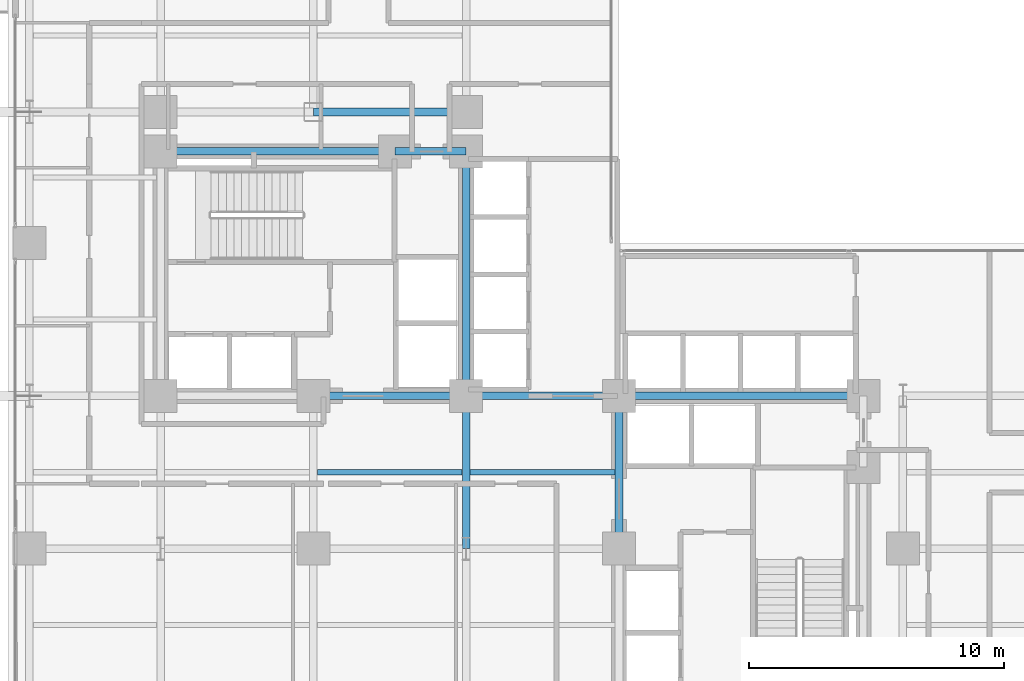
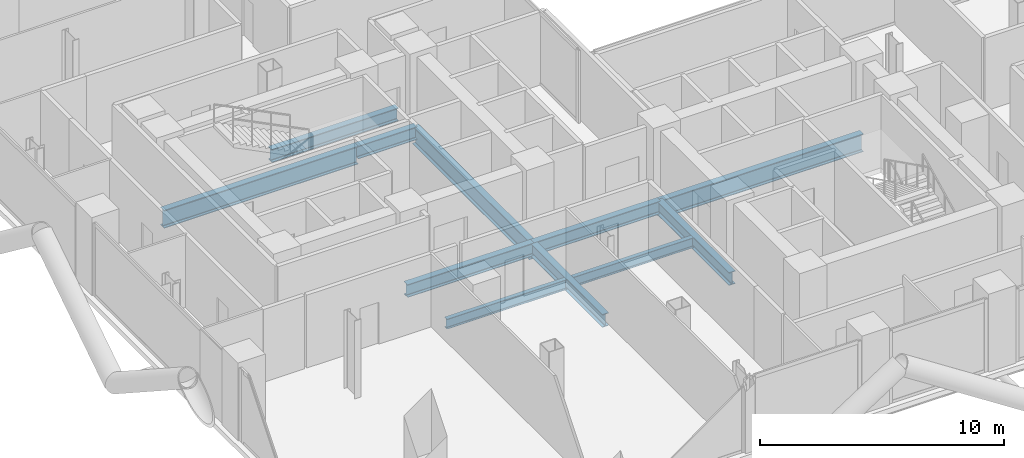
# One storey, part 6 of 27: 11 beams.
"""IFC4 building model written with IfcOpenShell, lengths in metres."""

from ifc_helpers import new_model, si_unit, direction, frame, origin, origin_2d, place, context, subcontext, project, spatial, i_section, extrude, material, material_profile, profile_set, type_object, element, save


model = new_model("IFC4")

# Units and contexts
model_context = context("Model", 3, precision=1e-05, world=origin(), true_north=direction((0.0, 1.0)))
body_context = subcontext(model_context, "Body", "Model", "MODEL_VIEW")
ifc_project = project(units=[si_unit("LENGTHUNIT", "METRE"), si_unit("AREAUNIT", "SQUARE_METRE"), si_unit("VOLUMEUNIT", "CUBIC_METRE"), si_unit("PLANEANGLEUNIT", "RADIAN"), si_unit("MASSUNIT", "GRAM", prefix="KILO"), si_unit("THERMODYNAMICTEMPERATUREUNIT", "KELVIN"), si_unit("POWERUNIT", "WATT")], contexts=[model_context])

# Site, building, storey
site_placement = place(None, origin())
site = spatial("IfcSite", under=ifc_project, at=site_placement, CompositionType="ELEMENT")
building_placement = place(site_placement, origin())
building = spatial("IfcBuilding", under=site, at=building_placement, Name="Svarakhadi Broadcast Tower", CompositionType="ELEMENT")
storey_placement = place(building_placement, frame((0.0, 0.0, 87.0)))
storey = spatial("IfcBuildingStorey", under=building, at=storey_placement, Name="L20", CompositionType="ELEMENT", Elevation=87.0)

# Beams
ifc_material_1 = material(Name="Steel S355J2 (IS 2062 E350C)", Category="steel")
ifc_material_profile_1 = material_profile(ifc_material_1, i_section(OverallWidth=0.199951171875, OverallDepth=0.5, WebThickness=0.01025390625, FlangeThickness=0.01611328125, FilletRadius=0.02099609375, at=origin_2d()), Name="NPB 500x200x91")
ifc_profile_set_1 = profile_set([ifc_material_profile_1], Name="Steel S355J2 (IS 2062 E350C)")
beam_type_1 = type_object("IfcBeamType", Name="Beam_NPB500", PredefinedType="BEAM", material=ifc_profile_set_1)
for number, where, z_axis, x_axis, name in (
    (1, (12.159912109375, 15.0, -0.5), (1.0, 0.0, 0.0), (0.0, 1.0, 0.0), "L20 Secondary Composite Beam SB015"),
    (2, (18.159912109375, 15.0, -0.5), (1.0, 0.0, 0.0), (0.0, 1.0, 0.0), "L20 Secondary Composite Beam SB021"),
):
    element("IfcBeam", number, at=place(storey_placement, frame(where, z_axis=z_axis, x_axis=x_axis)), inside=storey, type_object=beam_type_1, Name=name, PredefinedType="BEAM", context=body_context, shape_type="SweptSolid", body=[
        extrude(i_section(OverallWidth=0.199951171875, OverallDepth=0.5, WebThickness=0.01025390625, FlangeThickness=0.01611328125, FilletRadius=0.02099609375, at=origin_2d()), origin(), (0.0, 0.0, 1.0), 5.68017578125),
    ])
ifc_material_profile_2 = material_profile(ifc_material_1, i_section(OverallWidth=0.300048828125, OverallDepth=0.64990234375, WebThickness=0.01611328125, FlangeThickness=0.031005859375, FilletRadius=0.027099609375, at=origin_2d()), Name="WPB 650x300x225")
ifc_profile_set_2 = profile_set([ifc_material_profile_2], Name="Steel S355J2 (IS 2062 E350C)")
beam_type_2 = type_object("IfcBeamType", Name="Girder_WPB650", PredefinedType="USERDEFINED", material=ifc_profile_set_2)
for number, where, z_axis, x_axis, name in (
    (3, (12.0, 18.0, -0.574951171875), (1.0, 0.0, 0.0), (0.0, 1.0, 0.0), "L20 Primary E-W Girder G027"),
    (4, (18.0, 18.0, -0.574951171875), (1.0, 0.0, 0.0), (0.0, 1.0, 0.0), "L20 Primary E-W Girder G028"),
):
    element("IfcBeam", number, at=place(storey_placement, frame(where, z_axis=z_axis, x_axis=x_axis)), inside=storey, type_object=beam_type_2, Name=name, ObjectType="GIRDER", PredefinedType="USERDEFINED", context=body_context, shape_type="SweptSolid", body=[
        extrude(i_section(OverallWidth=0.300048828125, OverallDepth=0.64990234375, WebThickness=0.01611328125, FlangeThickness=0.031005859375, FilletRadius=0.027099609375, at=origin_2d()), origin(), (0.0, 0.0, 1.0), 6.0),
    ])
beam_1_placement = place(storey_placement, frame((15.199951171875, 27.60009765625, -0.574951171875), z_axis=(1.0, 0.0, 0.0), x_axis=(0.0, 1.0, 0.0)))
element("IfcBeam", 5, at=beam_1_placement, inside=storey, type_object=beam_type_2, Name="L20 Primary E-W Girder G033", ObjectType="GIRDER", PredefinedType="USERDEFINED", context=body_context, shape_type="SweptSolid", body=[
    extrude(i_section(OverallWidth=0.300048828125, OverallDepth=0.64990234375, WebThickness=0.01611328125, FlangeThickness=0.031005859375, FilletRadius=0.027099609375, at=origin_2d()), origin(), (0.0, 0.0, 1.0), 2.800048828125),
])
for number, where, z_axis, x_axis, name in (
    (6, (12.0, 29.14990234375, -0.574951171875), (1.0, 0.0, 0.0), (0.0, 1.0, 0.0), "L20 Primary E-W Girder G036"),
    (7, (18.0, 12.0, -0.574951171875), (0.0, 1.0, 0.0), (-1.0, 0.0, 0.0), "L20 Primary N-S Girder G066"),
    (8, (24.0, 12.0, -0.574951171875), (0.0, 1.0, 0.0), (-1.0, 0.0, 0.0), "L20 Primary N-S Girder G073"),
):
    element("IfcBeam", number, at=place(storey_placement, frame(where, z_axis=z_axis, x_axis=x_axis)), inside=storey, type_object=beam_type_2, Name=name, ObjectType="GIRDER", PredefinedType="USERDEFINED", context=body_context, shape_type="SweptSolid", body=[
        extrude(i_section(OverallWidth=0.300048828125, OverallDepth=0.64990234375, WebThickness=0.01611328125, FlangeThickness=0.031005859375, FilletRadius=0.027099609375, at=origin_2d()), origin(), (0.0, 0.0, 1.0), 6.0),
    ])
ifc_material_2 = material(Name="Steel S460ML (IS 2062 E450BR)", Category="steel")
ifc_material_profile_3 = material_profile(ifc_material_2, i_section(OverallWidth=0.300048828125, OverallDepth=0.89990234375, WebThickness=0.0185546875, FlangeThickness=0.034912109375, FilletRadius=0.030029296875, at=origin_2d()), Name="WPB 900x300x291")
ifc_profile_set_3 = profile_set([ifc_material_profile_3], Name="Steel S460ML (IS 2062 E450BR)")
beam_type_3 = type_object("IfcBeamType", Name="Girder_WPB900", PredefinedType="USERDEFINED", material=ifc_profile_set_3)
beam_2_placement = place(storey_placement, frame((24.0, 18.0, -0.699951171875), z_axis=(1.0, 0.0, 0.0), x_axis=(0.0, 1.0, 0.0)))
element("IfcBeam", 9, at=beam_2_placement, inside=storey, type_object=beam_type_3, Name="L20 Primary E-W Girder G029", ObjectType="GIRDER", PredefinedType="USERDEFINED", context=body_context, shape_type="SweptSolid", body=[
    extrude(i_section(OverallWidth=0.300048828125, OverallDepth=0.89990234375, WebThickness=0.0185546875, FlangeThickness=0.034912109375, FilletRadius=0.030029296875, at=origin_2d()), origin(), (0.0, 0.0, 1.0), 9.60009765625),
])
beam_3_placement = place(storey_placement, frame((6.0, 27.60009765625, -0.699951171875), z_axis=(1.0, 0.0, 0.0), x_axis=(0.0, 1.0, 0.0)))
element("IfcBeam", 10, at=beam_3_placement, inside=storey, type_object=beam_type_3, Name="L20 Primary E-W Girder G032", ObjectType="GIRDER", PredefinedType="USERDEFINED", context=body_context, shape_type="SweptSolid", body=[
    extrude(i_section(OverallWidth=0.300048828125, OverallDepth=0.89990234375, WebThickness=0.0185546875, FlangeThickness=0.034912109375, FilletRadius=0.030029296875, at=origin_2d()), origin(), (0.0, 0.0, 1.0), 9.199951171875),
])
beam_4_placement = place(storey_placement, frame((18.0, 18.0, -0.699951171875), z_axis=(0.0, 1.0, 0.0), x_axis=(-1.0, 0.0, 0.0)))
element("IfcBeam", 11, at=beam_4_placement, inside=storey, type_object=beam_type_3, Name="L20 Primary N-S Girder G067", ObjectType="GIRDER", PredefinedType="USERDEFINED", context=body_context, shape_type="SweptSolid", body=[
    extrude(i_section(OverallWidth=0.300048828125, OverallDepth=0.89990234375, WebThickness=0.0185546875, FlangeThickness=0.034912109375, FilletRadius=0.030029296875, at=origin_2d()), origin(), (0.0, 0.0, 1.0), 9.60009765625),
])

save(model, "model.ifc")
